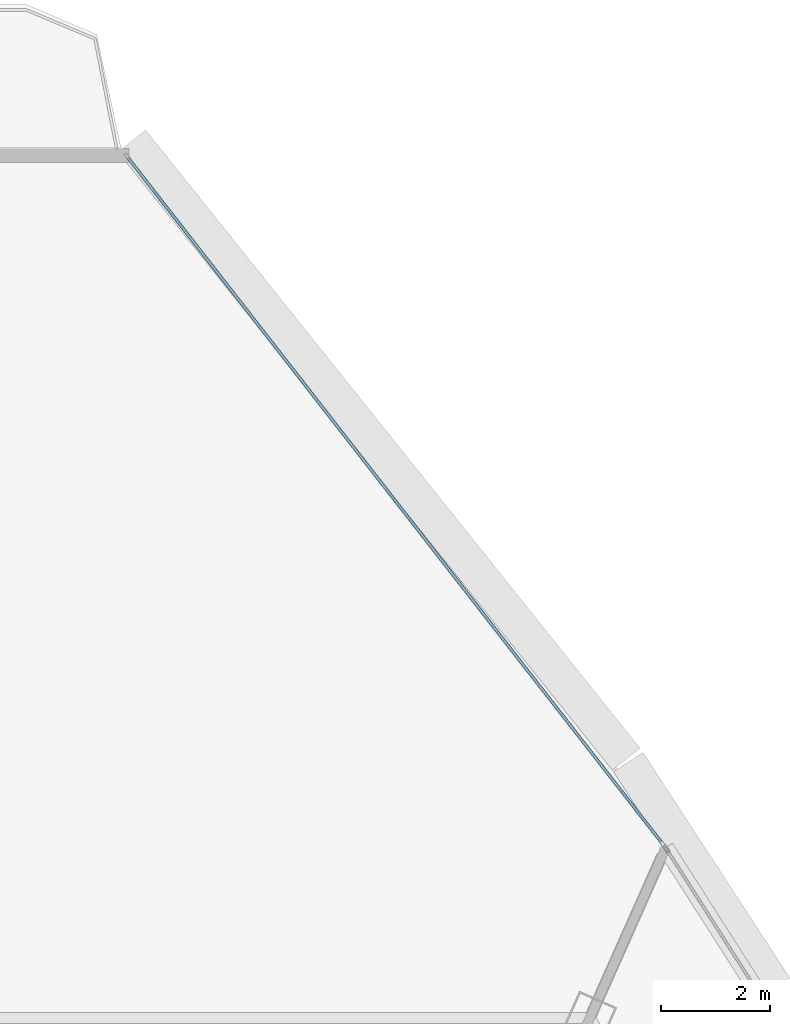
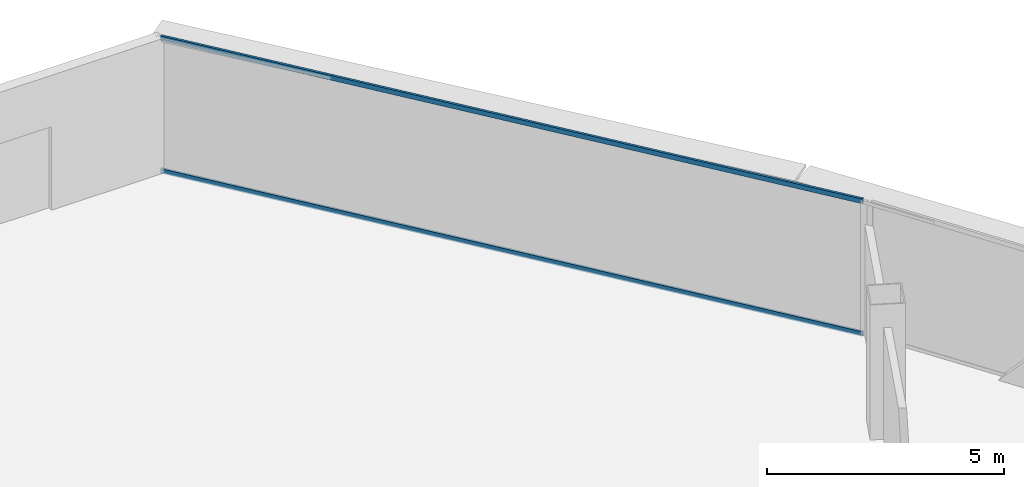
# One storey, part 24 of 37: 2 members, 1 element without a shape of its own.
"""IFC4 building model written with IfcOpenShell, lengths in metres."""

from ifc_helpers import new_model, si_unit, direction, frame, origin, origin_2d, place, context, subcontext, project, spatial, hollow_rectangle, extrude, source, transform, mapped, material, layer, layer_set, material_profile, profile_set, type_object, element, aggregate, save


model = new_model("IFC4")

# Units and contexts
model_context = context("Model", 3, precision=1e-05, world=origin(), true_north=direction((0.0, 1.0)))
body_context = subcontext(model_context, "Body", "Model", "MODEL_VIEW")
ifc_project = project(units=[si_unit("LENGTHUNIT", "METRE"), si_unit("AREAUNIT", "SQUARE_METRE"), si_unit("VOLUMEUNIT", "CUBIC_METRE"), si_unit("PLANEANGLEUNIT", "RADIAN"), si_unit("MASSUNIT", "GRAM", prefix="KILO"), si_unit("THERMODYNAMICTEMPERATUREUNIT", "KELVIN"), si_unit("POWERUNIT", "WATT")], contexts=[model_context])

# Site, building, storey
site_placement = place(None, origin())
site = spatial("IfcSite", under=ifc_project, at=site_placement, CompositionType="ELEMENT")
building_placement = place(site_placement, origin())
building = spatial("IfcBuilding", under=site, at=building_placement, Name="Yunzhuo Pagoda Commons", CompositionType="ELEMENT")
storey_placement = place(building_placement, frame((0.0, 0.0, 277.56005859375)))
storey = spatial("IfcBuildingStorey", under=building, at=storey_placement, Name="L69", CompositionType="ELEMENT", Elevation=277.56005859375)

# Curtain wall, members
ifc_material = material(Name="Anodized aluminium 6063-T6", Category="aluminium")
ifc_layer = layer(ifc_material, 0.139892578125)
ifc_layer_set = layer_set([ifc_layer], Name="Anodized aluminium 6063-T6")
curtain_wall_type = type_object("IfcCurtainWallType", Name="CW-HI High-Zone Ribbon Curtain Wall", PredefinedType="NOTDEFINED", material=ifc_layer_set)
curtain_wall_placement = place(storey_placement, origin())
curtain_wall = element("IfcCurtainWall", 1, at=curtain_wall_placement, inside=storey, type_object=curtain_wall_type, Name="L69 curtain wall CW-L69-F2B5", PredefinedType="NOTDEFINED")
ifc_material_profile = material_profile(ifc_material, hollow_rectangle(XDim=0.054931640625, YDim=0.1201171875, WallThickness=0.00341796875, at=origin_2d()), Name="Anodized aluminium 6063-T6")
ifc_profile_set = profile_set([ifc_material_profile], Name="Anodized aluminium 6063-T6")
member_type = type_object("IfcMemberType", Name="CW-HI-T Transom RHS 120x55x3.5", PredefinedType="USERDEFINED", material=ifc_profile_set)
shared_shape = source(origin(), body_context, "Body", "SweptSolid", [
    extrude(hollow_rectangle(XDim=0.054931640625, YDim=0.1201171875, WallThickness=0.00341796875, at=origin_2d()), origin(), (0.0, 0.0, 1.0), 15.966064453125),
])
member_1_placement = place(storey_placement, frame((61.427734375, 64.152099609375, 0.02734375), z_axis=(-0.61466551627, 0.788787869524, 0.0), x_axis=(-0.788787869524, -0.61466551627, 0.0)))
member_1 = element("IfcMember", 2, at=member_1_placement, type_object=member_type, Name="CW transom 1.1", ObjectType="TRANSOM", PredefinedType="USERDEFINED", context=body_context, shape_type="MappedRepresentation", body=[
    mapped(shared_shape, transform((0.0, 0.0, 0.0), scale=1.0)),
])
member_2_placement = place(storey_placement, frame((61.427734375, 64.152099609375, 3.4423828125), z_axis=(-0.61466551627, 0.788787869524, 0.0), x_axis=(-0.788787869524, -0.61466551627, 0.0)))
member_2 = element("IfcMember", 3, at=member_2_placement, type_object=member_type, Name="CW transom 1.2", ObjectType="TRANSOM", PredefinedType="USERDEFINED", context=body_context, shape_type="MappedRepresentation", body=[
    mapped(shared_shape, transform((0.0, 0.0, 0.0), scale=1.0)),
])
aggregate(curtain_wall, [member_1, member_2])

save(model, "model.ifc")
